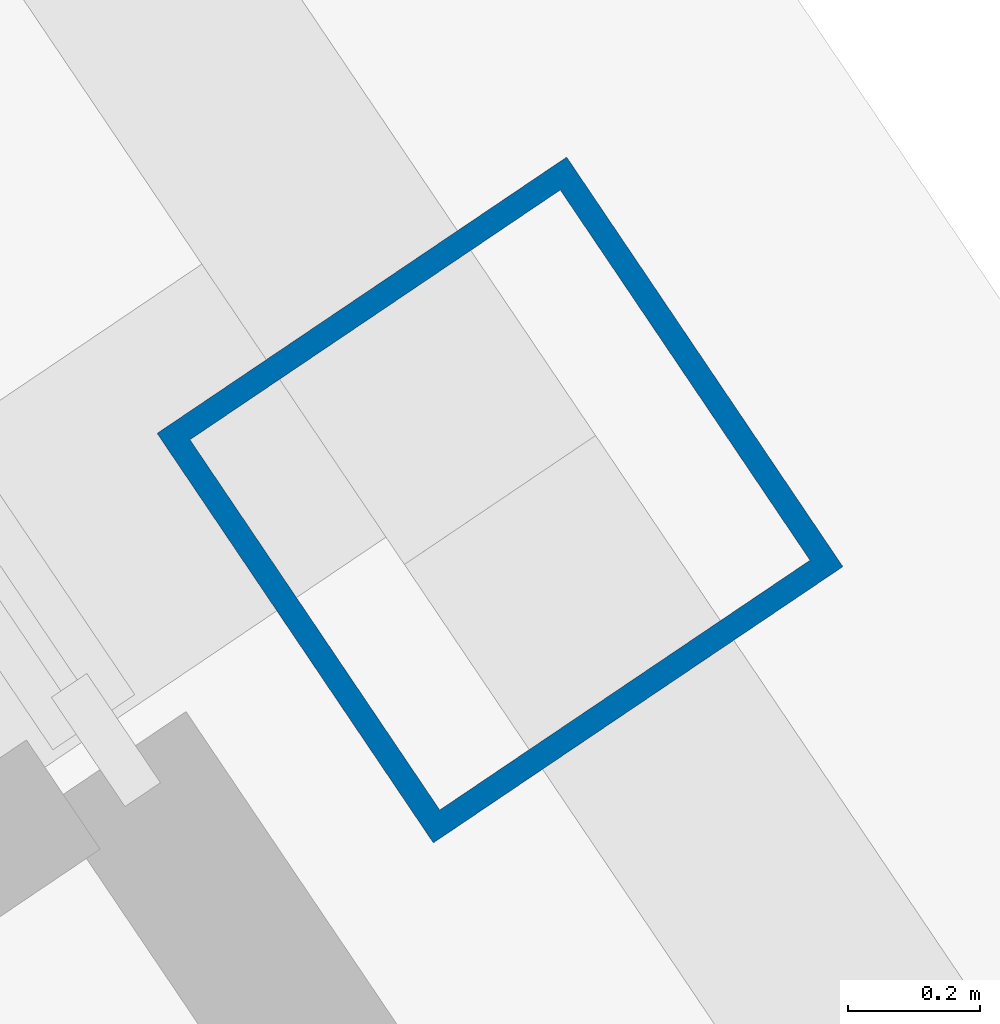
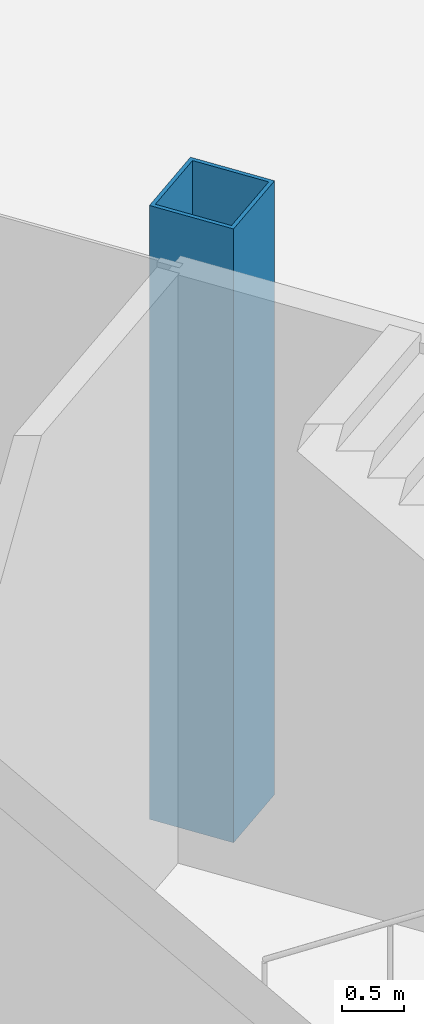
# One storey, part 8 of 45: 1 column.
"""IFC4 building model written with IfcOpenShell, lengths in metres."""

from ifc_helpers import new_model, si_unit, direction, frame, origin, origin_2d, place, context, subcontext, project, spatial, hollow_rectangle, extrude, material, material_profile, profile_set, type_object, element, save


model = new_model("IFC4")

# Units and contexts
model_context = context("Model", 3, precision=1e-05, world=origin(), true_north=direction((0.0, 1.0)))
body_context = subcontext(model_context, "Body", "Model", "MODEL_VIEW")
ifc_project = project(units=[si_unit("LENGTHUNIT", "METRE"), si_unit("AREAUNIT", "SQUARE_METRE"), si_unit("VOLUMEUNIT", "CUBIC_METRE"), si_unit("PLANEANGLEUNIT", "RADIAN"), si_unit("MASSUNIT", "GRAM", prefix="KILO")], contexts=[model_context])

# Site, building, storey
site_placement = place(None, origin())
site = spatial("IfcSite", under=ifc_project, at=site_placement, CompositionType="ELEMENT")
building_placement = place(site_placement, origin())
building = spatial("IfcBuilding", under=site, at=building_placement, Name="Qingtian Harvest Tower", CompositionType="ELEMENT")
storey_placement = place(building_placement, origin())
storey = spatial("IfcBuildingStorey", under=building, at=storey_placement, Name="L00", CompositionType="ELEMENT", Elevation=0.0)

# Column
ifc_material = material(Name="Steel SM570MC", Category="steel")
ifc_material_profile = material_profile(ifc_material, hollow_rectangle(XDim=0.75, YDim=0.75, WallThickness=0.035888671875, at=origin_2d()), Name="BOX750x750x36")
ifc_profile_set = profile_set([ifc_material_profile], Name="Steel SM570MC")
column_type = type_object("IfcColumnType", Name="Podium column PC1 BOX750x750x36", PredefinedType="COLUMN", material=ifc_profile_set)
column_placement = place(storey_placement, frame((28.2177734375, 17.178955078125, 0.0), z_axis=(0.0, 0.0, 1.0), x_axis=(-0.559192903471, 0.829037572555, 0.0)))
element("IfcColumn", 1, at=column_placement, inside=storey, type_object=column_type, Name="Podium column PC1 NE2", PredefinedType="COLUMN", context=body_context, shape_type="SweptSolid", body=[
    extrude(hollow_rectangle(XDim=0.75, YDim=0.75, WallThickness=0.035888671875, at=origin_2d()), origin(), (0.0, 0.0, 1.0), 6.0),
])

save(model, "model.ifc")
